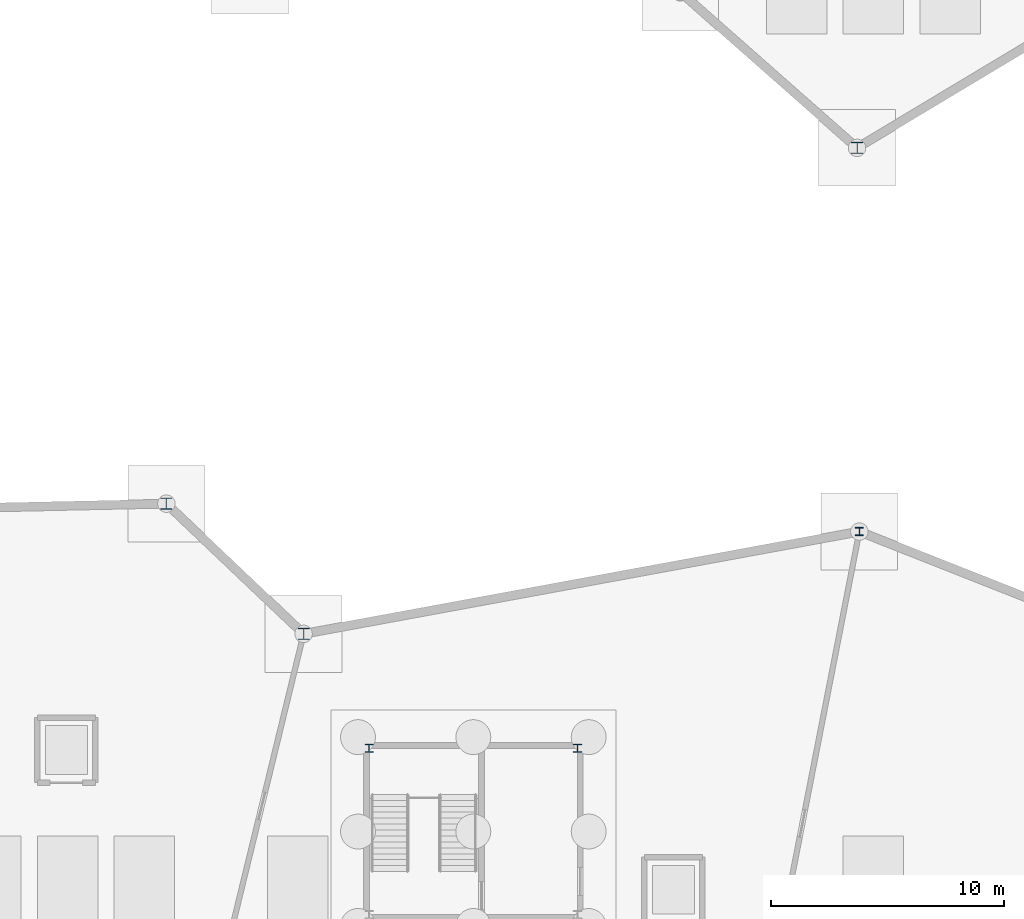
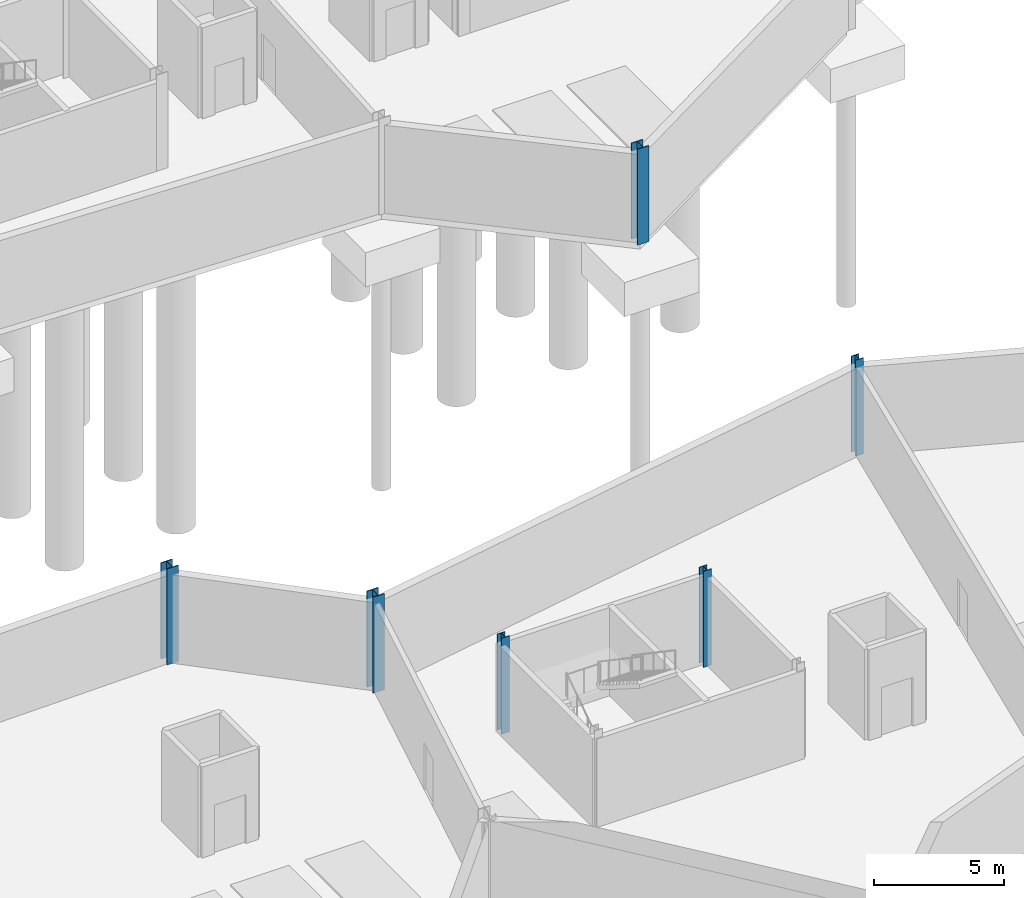
# One storey, part 14 of 37: 6 columns.
"""IFC4 building model written with IfcOpenShell, lengths in metres."""

from ifc_helpers import new_model, si_unit, direction, frame, origin, origin_2d, place, context, subcontext, project, spatial, i_section, extrude, material, material_profile, profile_set, type_object, element, save


model = new_model("IFC4")

# Units and contexts
model_context = context("Model", 3, precision=1e-05, world=origin(), true_north=direction((0.0, 1.0)))
body_context = subcontext(model_context, "Body", "Model", "MODEL_VIEW")
ifc_project = project(units=[si_unit("LENGTHUNIT", "METRE"), si_unit("AREAUNIT", "SQUARE_METRE"), si_unit("VOLUMEUNIT", "CUBIC_METRE"), si_unit("PLANEANGLEUNIT", "RADIAN"), si_unit("MASSUNIT", "GRAM", prefix="KILO")], contexts=[model_context])

# Site, building, storey
site_placement = place(None, origin())
site = spatial("IfcSite", under=ifc_project, at=site_placement, CompositionType="ELEMENT")
building_placement = place(site_placement, origin())
building = spatial("IfcBuilding", under=site, at=building_placement, Name="Tameran Prism Museum", CompositionType="ELEMENT")
storey_placement = place(building_placement, frame((0.0, 0.0, -4.5)))
storey = spatial("IfcBuildingStorey", under=building, at=storey_placement, Name="B1", CompositionType="ELEMENT", Elevation=-4.5)

# Columns
ifc_material_1 = material(Name="Steel Grade 350 (350 MPa)", Category="steel")
ifc_material_profile_1 = material_profile(ifc_material_1, i_section(OverallWidth=0.35009765625, OverallDepth=0.35009765625, WebThickness=0.02001953125, FlangeThickness=0.028076171875, at=origin_2d()))
ifc_profile_set_1 = profile_set([ifc_material_profile_1])
column_type_1 = type_object("IfcColumnType", Name="COL-WC350", PredefinedType="COLUMN", material=ifc_profile_set_1)
for number, where, z_axis, x_axis, name in (
    (1, (125.60009765625, 47.39990234375, 0.0), (0.0, 0.0, 1.0), (1.0, 0.0, 0.0), "Column CV-50 B1"),
    (2, (113.47998046875, 38.080078125, 0.0), (0.0, 0.0, 1.0), (1.0, 0.0, 0.0), "Column CC-4-3 B1"),
    (3, (104.52001953125, 38.080078125, 0.0), (0.0, 0.0, 1.0), (1.0, 0.0, 0.0), "Column CC-4-4 B1"),
):
    element("IfcColumn", number, at=place(storey_placement, frame(where, z_axis=z_axis, x_axis=x_axis)), inside=storey, type_object=column_type_1, Name=name, PredefinedType="COLUMN", context=body_context, shape_type="SweptSolid", body=[
        extrude(i_section(OverallWidth=0.35009765625, OverallDepth=0.35009765625, WebThickness=0.02001953125, FlangeThickness=0.028076171875, at=origin_2d()), origin(), (0.0, 0.0, 1.0), 4.5),
    ])
ifc_material_2 = material(Name="Steel Grade 350 (350 MPa)", Category="steel")
ifc_material_profile_2 = material_profile(ifc_material_2, i_section(OverallWidth=0.5, OverallDepth=0.5, WebThickness=0.02197265625, FlangeThickness=0.035888671875, at=origin_2d()))
ifc_profile_set_2 = profile_set([ifc_material_profile_2])
column_type_2 = type_object("IfcColumnType", Name="COL-WC500", PredefinedType="COLUMN", material=ifc_profile_set_2)
for number, where, z_axis, x_axis, name in (
    (4, (95.800048828125, 48.60009765625, 0.0), (0.0, 0.0, 1.0), (1.0, 0.0, 0.0), "Column CV-38 B1"),
    (5, (101.699951171875, 43.0, 0.0), (0.0, 0.0, 1.0), (1.0, 0.0, 0.0), "Column CV-41 B1"),
    (6, (125.5, 63.89990234375, 0.0), (0.0, 0.0, 1.0), (1.0, 0.0, 0.0), "Column CV-49 B1"),
):
    element("IfcColumn", number, at=place(storey_placement, frame(where, z_axis=z_axis, x_axis=x_axis)), inside=storey, type_object=column_type_2, Name=name, PredefinedType="COLUMN", context=body_context, shape_type="SweptSolid", body=[
        extrude(i_section(OverallWidth=0.5, OverallDepth=0.5, WebThickness=0.02197265625, FlangeThickness=0.035888671875, at=origin_2d()), origin(), (0.0, 0.0, 1.0), 4.5),
    ])

save(model, "model.ifc")
